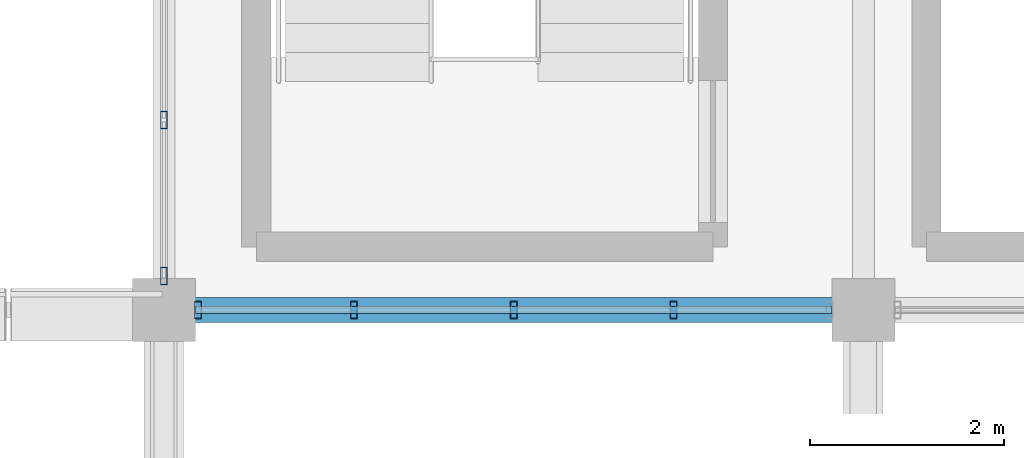
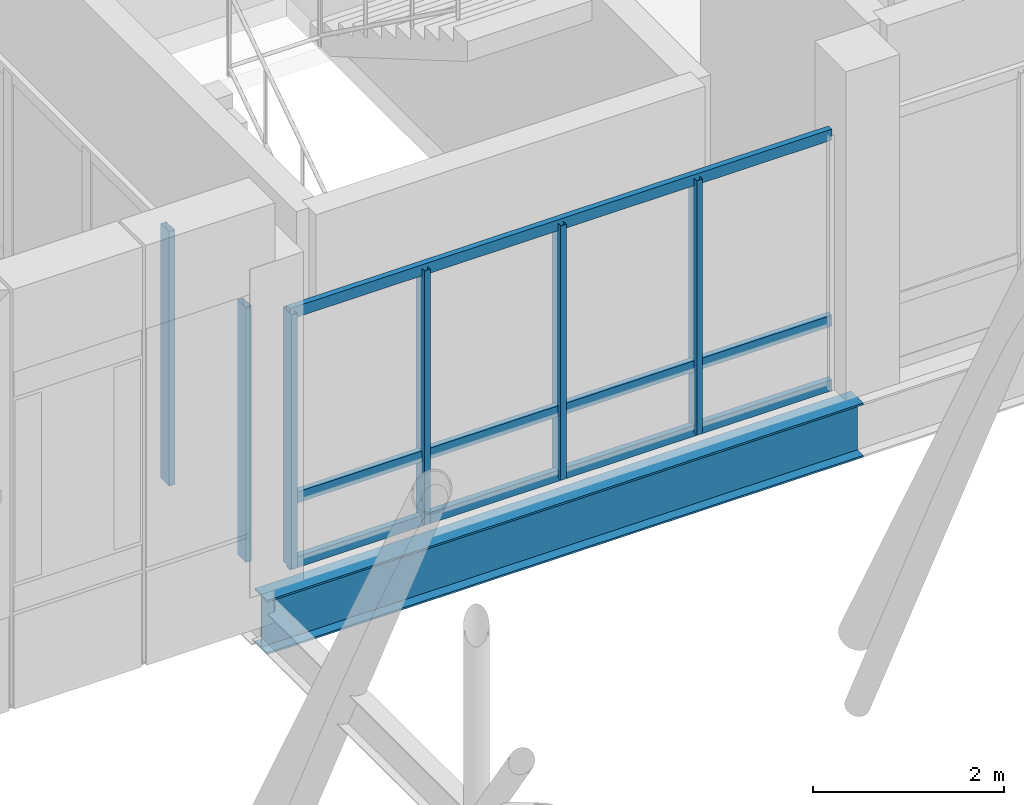
# One storey, part 42 of 144: 9 members, 1 beam, 2 elements without a shape of their own.
"""IFC4 building model written with IfcOpenShell, lengths in metres."""

from ifc_helpers import new_model, si_unit, direction, frame, origin, origin_2d, place, context, subcontext, project, spatial, hollow_rectangle, i_section, extrude, material, material_profile, profile_set, type_object, element, aggregate, save


model = new_model("IFC4")

# Units and contexts
model_context = context("Model", 3, precision=1e-05, world=origin(), true_north=direction((0.0, 1.0)))
body_context = subcontext(model_context, "Body", "Model", "MODEL_VIEW")
ifc_project = project(units=[si_unit("LENGTHUNIT", "METRE"), si_unit("AREAUNIT", "SQUARE_METRE"), si_unit("VOLUMEUNIT", "CUBIC_METRE"), si_unit("PLANEANGLEUNIT", "RADIAN"), si_unit("MASSUNIT", "GRAM", prefix="KILO")], contexts=[model_context])

# Site, building, storey
site_placement = place(None, origin())
site = spatial("IfcSite", under=ifc_project, at=site_placement, CompositionType="ELEMENT")
building_placement = place(site_placement, origin())
building = spatial("IfcBuilding", under=site, at=building_placement, Name="Yarey Park Central Fire Station", CompositionType="ELEMENT")
storey_placement = place(building_placement, frame((0.0, 0.0, 10.199951171875)))
storey = spatial("IfcBuildingStorey", under=building, at=storey_placement, Name="L03", CompositionType="ELEMENT", Elevation=10.199951171875)

# Curtain wall, members
ifc_material_1 = material(Name="Anodized Aluminium Frame", Category="aluminium")
curtain_wall_type = type_object("IfcCurtainWallType", Name="ENV_CW_HQ_L03", PredefinedType="NOTDEFINED", material=ifc_material_1)
curtain_wall_1_placement = place(storey_placement, origin())
curtain_wall_1 = element("IfcCurtainWall", 1, at=curtain_wall_1_placement, inside=storey, type_object=curtain_wall_type, Name="CW_L03_V4_S_1", PredefinedType="NOTDEFINED")
ifc_material_profile_1 = material_profile(ifc_material_1, hollow_rectangle(XDim=0.070068359375, YDim=0.179931640625, WallThickness=0.00390625, at=origin_2d()), Name="ALU 180x70x4")
ifc_profile_set_1 = profile_set([ifc_material_profile_1], Name="Anodized Aluminium Frame")
member_type_1 = type_object("IfcMemberType", Name="ENV_CW_MULLION", PredefinedType="MULLION", material=ifc_profile_set_1)
member_1_placement = place(storey_placement, frame((115.550048828125, 93.60009765625, 0.0), z_axis=(0.0, 0.0, 1.0), x_axis=(1.0, 0.0, 0.0)))
member_1 = element("IfcMember", 2, at=member_1_placement, type_object=member_type_1, Name="CW_L03_V4_S_1_MUL1", PredefinedType="MULLION", context=body_context, shape_type="SweptSolid", body=[
    extrude(hollow_rectangle(XDim=0.070068359375, YDim=0.179931640625, WallThickness=0.00390625, at=origin_2d()), origin(), (0.0, 0.0, 1.0), 3.25),
])
member_2_placement = place(storey_placement, frame((117.155029296875, 93.60009765625, 0.0), z_axis=(0.0, 0.0, 1.0), x_axis=(1.0, 0.0, 0.0)))
member_2 = element("IfcMember", 3, at=member_2_placement, type_object=member_type_1, Name="CW_L03_V4_S_1_MUL2", PredefinedType="MULLION", context=body_context, shape_type="SweptSolid", body=[
    extrude(hollow_rectangle(XDim=0.070068359375, YDim=0.179931640625, WallThickness=0.00390625, at=origin_2d()), origin(), (0.0, 0.0, 1.0), 3.25),
])
member_3_placement = place(storey_placement, frame((118.800048828125, 93.60009765625, 0.0), z_axis=(0.0, 0.0, 1.0), x_axis=(1.0, 0.0, 0.0)))
member_3 = element("IfcMember", 4, at=member_3_placement, type_object=member_type_1, Name="CW_L03_V4_S_1_MUL3", PredefinedType="MULLION", context=body_context, shape_type="SweptSolid", body=[
    extrude(hollow_rectangle(XDim=0.070068359375, YDim=0.179931640625, WallThickness=0.00390625, at=origin_2d()), origin(), (0.0, 0.0, 1.0), 3.25),
])
member_4_placement = place(storey_placement, frame((120.445068359375, 93.60009765625, 0.0), z_axis=(0.0, 0.0, 1.0), x_axis=(1.0, 0.0, 0.0)))
member_4 = element("IfcMember", 5, at=member_4_placement, type_object=member_type_1, Name="CW_L03_V4_S_1_MUL4", PredefinedType="MULLION", context=body_context, shape_type="SweptSolid", body=[
    extrude(hollow_rectangle(XDim=0.070068359375, YDim=0.179931640625, WallThickness=0.00390625, at=origin_2d()), origin(), (0.0, 0.0, 1.0), 3.25),
])

curtain_wall_2_placement = place(storey_placement, origin())
curtain_wall_2 = element("IfcCurtainWall", 6, at=curtain_wall_2_placement, inside=storey, type_object=curtain_wall_type, Name="CW_L03_V4_W_93", PredefinedType="NOTDEFINED")
member_5_placement = place(storey_placement, frame((115.199951171875, 95.554931640625, 0.0), z_axis=(0.0, 0.0, 1.0), x_axis=(1.0, 0.0, 0.0)))
member_5 = element("IfcMember", 7, at=member_5_placement, type_object=member_type_1, Name="CW_L03_V4_W_93_MUL4", PredefinedType="MULLION", context=body_context, shape_type="SweptSolid", body=[
    extrude(hollow_rectangle(XDim=0.070068359375, YDim=0.179931640625, WallThickness=0.00390625, at=origin_2d()), origin(), (0.0, 0.0, 1.0), 3.25),
])
member_6_placement = place(storey_placement, frame((115.199951171875, 93.949951171875, 0.0), z_axis=(0.0, 0.0, 1.0), x_axis=(1.0, 0.0, 0.0)))
member_6 = element("IfcMember", 8, at=member_6_placement, type_object=member_type_1, Name="CW_L03_V4_W_93_MUL5", PredefinedType="MULLION", context=body_context, shape_type="SweptSolid", body=[
    extrude(hollow_rectangle(XDim=0.070068359375, YDim=0.179931640625, WallThickness=0.00390625, at=origin_2d()), origin(), (0.0, 0.0, 1.0), 3.25),
])
aggregate(curtain_wall_2, [member_5, member_6])

# Member
ifc_material_profile_2 = material_profile(ifc_material_1, hollow_rectangle(XDim=0.070068359375, YDim=0.139892578125, WallThickness=0.00390625, at=origin_2d()), Name="ALU 140x70x4")
ifc_profile_set_2 = profile_set([ifc_material_profile_2], Name="Anodized Aluminium Frame")
member_type_2 = type_object("IfcMemberType", Name="ENV_CW_TRANSOM", PredefinedType="USERDEFINED", material=ifc_profile_set_2)
member_7_placement = place(storey_placement, frame((115.52490234375, 93.60009765625, 0.025146484375), z_axis=(1.0, 0.0, 0.0), x_axis=(0.0, 1.0, 0.0)))
member_7 = element("IfcMember", 9, at=member_7_placement, type_object=member_type_2, Name="CW_L03_V4_S_1_TRN1", ObjectType="TRANSOM", PredefinedType="USERDEFINED", context=body_context, shape_type="SweptSolid", body=[
    extrude(hollow_rectangle(XDim=0.070068359375, YDim=0.139892578125, WallThickness=0.00390625, at=origin_2d()), origin(), (0.0, 0.0, 1.0), 6.550048828125),
])

member_8_placement = place(storey_placement, frame((115.52490234375, 93.60009765625, 0.85009765625), z_axis=(1.0, 0.0, 0.0), x_axis=(0.0, 1.0, 0.0)))
member_8 = element("IfcMember", 10, at=member_8_placement, type_object=member_type_2, Name="CW_L03_V4_S_1_TRN2", ObjectType="TRANSOM", PredefinedType="USERDEFINED", context=body_context, shape_type="SweptSolid", body=[
    extrude(hollow_rectangle(XDim=0.070068359375, YDim=0.139892578125, WallThickness=0.00390625, at=origin_2d()), origin(), (0.0, 0.0, 1.0), 6.550048828125),
])

member_9_placement = place(storey_placement, frame((115.52490234375, 93.60009765625, 3.22509765625), z_axis=(1.0, 0.0, 0.0), x_axis=(0.0, 1.0, 0.0)))
member_9 = element("IfcMember", 11, at=member_9_placement, type_object=member_type_2, Name="CW_L03_V4_S_1_TRN3", ObjectType="TRANSOM", PredefinedType="USERDEFINED", context=body_context, shape_type="SweptSolid", body=[
    extrude(hollow_rectangle(XDim=0.070068359375, YDim=0.139892578125, WallThickness=0.00390625, at=origin_2d()), origin(), (0.0, 0.0, 1.0), 6.550048828125),
])

aggregate(curtain_wall_1, [member_1, member_2, member_3, member_4, member_7, member_8, member_9])

# Beam
ifc_material_2 = material(Name="Steel ASTM A992 Gr. 50", Category="steel")
ifc_material_profile_3 = material_profile(ifc_material_2, i_section(OverallWidth=0.256103515625, OverallDepth=0.693115234375, WebThickness=0.014404296875, FlangeThickness=0.023681640625, at=origin_2d()), Name="W690x170")
ifc_profile_set_3 = profile_set([ifc_material_profile_3], Name="Steel ASTM A992 Gr. 50")
beam_type = type_object("IfcBeamType", Name="STR_BM_W690", PredefinedType="BEAM", material=ifc_profile_set_3)
beam_placement = place(storey_placement, frame((115.199951171875, 93.60009765625, -0.6064453125), z_axis=(1.0, 0.0, 0.0), x_axis=(0.0, 1.0, 0.0)))
element("IfcBeam", 12, at=beam_placement, inside=storey, type_object=beam_type, Name="BMX L03 Y936 X1152", PredefinedType="BEAM", context=body_context, shape_type="SweptSolid", body=[
    extrude(i_section(OverallWidth=0.256103515625, OverallDepth=0.693115234375, WebThickness=0.014404296875, FlangeThickness=0.023681640625, at=origin_2d()), origin(), (0.0, 0.0, 1.0), 7.199951171875),
])

save(model, "model.ifc")
